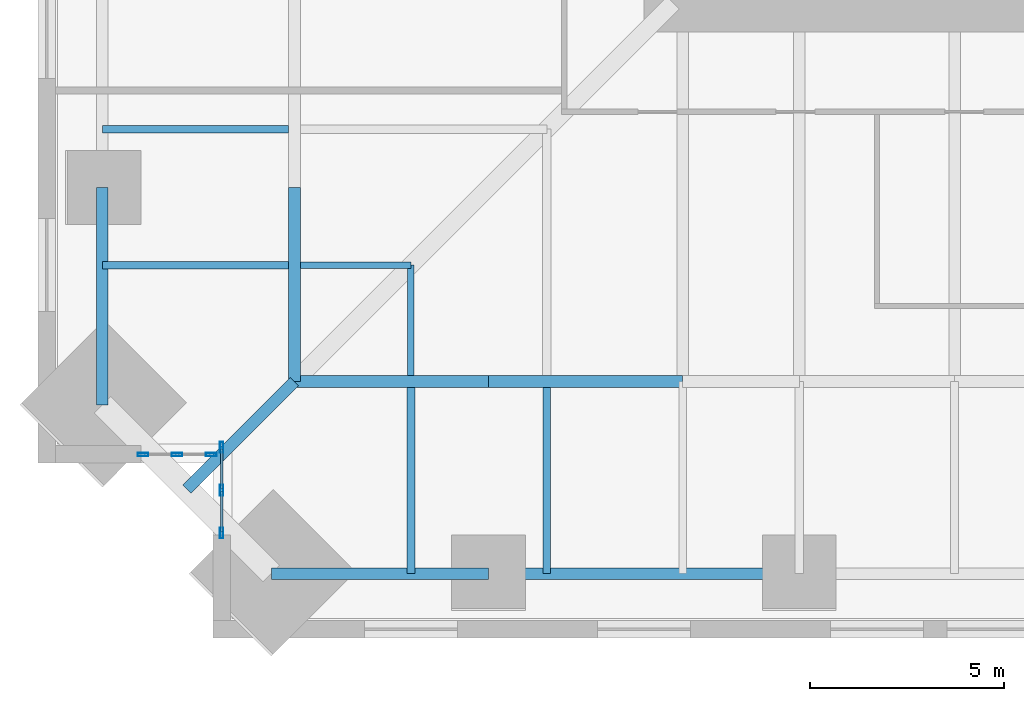
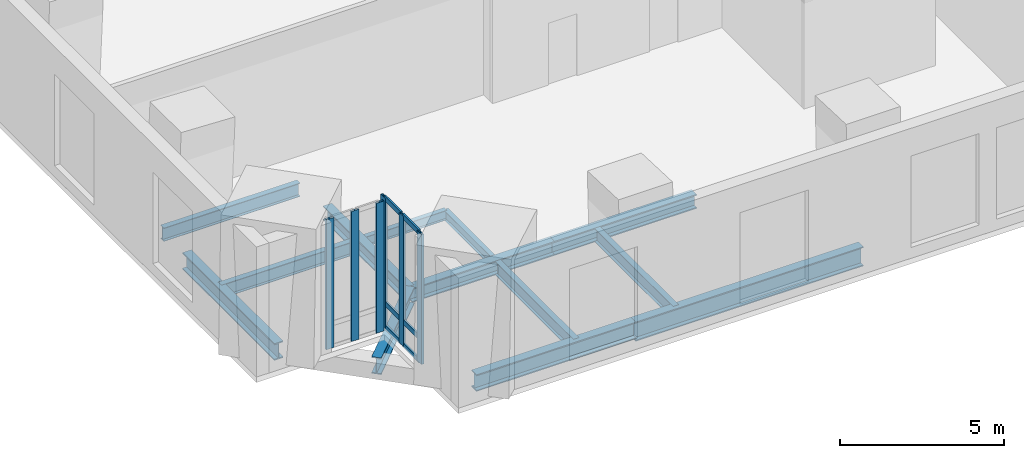
# One storey, part 2 of 18: 13 beams, 12 members, 2 elements without a shape of their own.
"""IFC4 building model written with IfcOpenShell, lengths in metres."""

from ifc_helpers import new_model, si_unit, direction, frame, origin, origin_2d, place, context, subcontext, project, spatial, hollow_rectangle, i_section, extrude, material, material_profile, profile_set, type_object, element, aggregate, save


model = new_model("IFC4")

# Units and contexts
model_context = context("Model", 3, precision=1e-05, world=origin(), true_north=direction((0.0, 1.0)))
body_context = subcontext(model_context, "Body", "Model", "MODEL_VIEW")
ifc_project = project(units=[si_unit("LENGTHUNIT", "METRE"), si_unit("AREAUNIT", "SQUARE_METRE"), si_unit("VOLUMEUNIT", "CUBIC_METRE"), si_unit("PLANEANGLEUNIT", "RADIAN"), si_unit("MASSUNIT", "GRAM", prefix="KILO")], contexts=[model_context])

# Site, building, storey
site_placement = place(None, origin())
site = spatial("IfcSite", under=ifc_project, at=site_placement, CompositionType="ELEMENT")
building_placement = place(site_placement, origin())
building = spatial("IfcBuilding", under=site, at=building_placement, Name="Peilmerk Tower", CompositionType="ELEMENT")
storey_placement = place(building_placement, frame((0.0, 0.0, 122.800048828125)))
storey = spatial("IfcBuildingStorey", under=building, at=storey_placement, Name="L24", CompositionType="ELEMENT", Elevation=122.800048828125)

# Beams
ifc_material_1 = material(Name="Steel S355", Category="steel")
ifc_material_profile_1 = material_profile(ifc_material_1, i_section(OverallWidth=0.169921875, OverallDepth=0.360107421875, WebThickness=0.008056640625, FlangeThickness=0.0126953125, at=origin_2d()), Name="IPE 360")
ifc_profile_set_1 = profile_set([ifc_material_profile_1], Name="Steel S355")
beam_type_1 = type_object("IfcBeamType", Name="B11 IPE 360 floor beam", PredefinedType="BEAM", material=ifc_profile_set_1)
for number, where, z_axis, x_axis, name in (
    (1, (-18.0, -18.0, -0.380126953125), (0.0, -1.0, 0.0), (1.0, 0.0, 0.0), "Floor beam L24"),
    (2, (-18.0, -18.0, -0.380126953125), (-1.0, 0.0, 0.0), (0.0, -1.0, 0.0), "Floor beam L24"),
):
    element("IfcBeam", number, at=place(storey_placement, frame(where, z_axis=z_axis, x_axis=x_axis)), inside=storey, type_object=beam_type_1, Name=name, PredefinedType="BEAM", context=body_context, shape_type="SweptSolid", body=[
        extrude(i_section(OverallWidth=0.169921875, OverallDepth=0.360107421875, WebThickness=0.008056640625, FlangeThickness=0.0126953125, at=origin_2d()), origin(), (0.0, 0.0, 1.0), 2.846923828125),
    ])
ifc_material_profile_2 = material_profile(ifc_material_1, i_section(OverallWidth=0.303955078125, OverallDepth=0.716064453125, WebThickness=0.02099609375, FlangeThickness=0.0400390625, at=origin_2d()), Name="HEM 700")
ifc_profile_set_2 = profile_set([ifc_material_profile_2], Name="Steel S355")
beam_type_2 = type_object("IfcBeamType", Name="B30 HEM 700 edge beam", PredefinedType="SPANDREL", material=ifc_profile_set_2)
beam_1_placement = place(storey_placement, frame((-16.0, -25.945068359375, -0.55810546875), z_axis=(1.0, 0.0, 0.0), x_axis=(0.0, 1.0, 0.0)))
element("IfcBeam", 3, at=beam_1_placement, inside=storey, type_object=beam_type_2, Name="Edge beam L24", PredefinedType="SPANDREL", context=body_context, shape_type="SweptSolid", body=[
    extrude(i_section(OverallWidth=0.303955078125, OverallDepth=0.716064453125, WebThickness=0.02099609375, FlangeThickness=0.0400390625, at=origin_2d()), origin(), (0.0, 0.0, 1.0), 8.0),
])
ifc_material_profile_3 = material_profile(ifc_material_1, i_section(OverallWidth=0.304931640625, OverallDepth=0.6201171875, WebThickness=0.02099609375, FlangeThickness=0.0400390625, at=origin_2d()), Name="HEM 600")
ifc_profile_set_3 = profile_set([ifc_material_profile_3], Name="Steel S355")
beam_type_3 = type_object("IfcBeamType", Name="B31 HEM 600 edge beam", PredefinedType="SPANDREL", material=ifc_profile_set_3)
for number, where, z_axis, x_axis, name in (
    (4, (-21.59521484375, -25.945068359375, -0.510009765625), (1.0, 0.0, 0.0), (0.0, 1.0, 0.0), "Edge beam L24"),
    (5, (-25.945068359375, -16.0, -0.510009765625), (0.0, -1.0, 0.0), (1.0, 0.0, 0.0), "Edge beam L24"),
):
    element("IfcBeam", number, at=place(storey_placement, frame(where, z_axis=z_axis, x_axis=x_axis)), inside=storey, type_object=beam_type_3, Name=name, PredefinedType="SPANDREL", context=body_context, shape_type="SweptSolid", body=[
        extrude(i_section(OverallWidth=0.304931640625, OverallDepth=0.6201171875, WebThickness=0.02099609375, FlangeThickness=0.0400390625, at=origin_2d()), origin(), (0.0, 0.0, 1.0), 5.59521484375),
    ])
ifc_material_profile_4 = material_profile(ifc_material_1, i_section(OverallWidth=0.199951171875, OverallDepth=0.5, WebThickness=0.01025390625, FlangeThickness=0.01611328125, at=origin_2d()), Name="IPE 500")
ifc_profile_set_4 = profile_set([ifc_material_profile_4], Name="Steel S355")
beam_type_4 = type_object("IfcBeamType", Name="B32 IPE 500 floor beam", PredefinedType="BEAM", material=ifc_profile_set_4)
for number, where, z_axis, x_axis, name in (
    (6, (-14.5, -21.153076171875, -0.449951171875), (0.0, -1.0, 0.0), (1.0, 0.0, 0.0), "Floor beam L24"),
    (7, (-21.153076171875, -14.5, -0.449951171875), (-1.0, 0.0, 0.0), (0.0, -1.0, 0.0), "Floor beam L24"),
    (8, (-18.0, -21.153076171875, -0.449951171875), (0.0, -1.0, 0.0), (1.0, 0.0, 0.0), "Floor beam L24"),
    (9, (-21.153076171875, -18.0, -0.449951171875), (-1.0, 0.0, 0.0), (0.0, -1.0, 0.0), "Floor beam L24"),
):
    element("IfcBeam", number, at=place(storey_placement, frame(where, z_axis=z_axis, x_axis=x_axis)), inside=storey, type_object=beam_type_4, Name=name, PredefinedType="BEAM", context=body_context, shape_type="SweptSolid", body=[
        extrude(i_section(OverallWidth=0.199951171875, OverallDepth=0.5, WebThickness=0.01025390625, FlangeThickness=0.01611328125, at=origin_2d()), origin(), (0.0, 0.0, 1.0), 4.7919921875),
    ])
ifc_material_profile_5 = material_profile(ifc_material_1, i_section(OverallWidth=0.304931640625, OverallDepth=0.6201171875, WebThickness=0.02099609375, FlangeThickness=0.0400390625, at=origin_2d()), Name="HEM 600")
ifc_profile_set_5 = profile_set([ifc_material_profile_5], Name="Steel S355")
beam_type_5 = type_object("IfcBeamType", Name="B6 HEM 600 ring girder", PredefinedType="BEAM", material=ifc_profile_set_5)
beam_2_placement = place(storey_placement, frame((-21.0, -21.0, -0.510009765625), z_axis=(-0.707106781187, -0.707106781187, 0.0), x_axis=(0.707106781187, -0.707106781187, 0.0)))
element("IfcBeam", 10, at=beam_2_placement, inside=storey, type_object=beam_type_5, Name="Corner girder L24", PredefinedType="BEAM", context=body_context, shape_type="SweptSolid", body=[
    extrude(i_section(OverallWidth=0.304931640625, OverallDepth=0.6201171875, WebThickness=0.02099609375, FlangeThickness=0.0400390625, at=origin_2d()), origin(), (0.0, 0.0, 1.0), 3.917724609375),
])
ifc_material_profile_6 = material_profile(ifc_material_1, i_section(OverallWidth=0.305908203125, OverallDepth=0.52392578125, WebThickness=0.02099609375, FlangeThickness=0.0400390625, at=origin_2d()), Name="HEM 500")
ifc_profile_set_6 = profile_set([ifc_material_profile_6], Name="Steel S355")
beam_type_6 = type_object("IfcBeamType", Name="B7 HEM 500 ring girder", PredefinedType="BEAM", material=ifc_profile_set_6)
for number, where, z_axis, x_axis, name in (
    (11, (-21.0, -21.0, -0.462158203125), (1.0, 0.0, 0.0), (0.0, 1.0, 0.0), "Ring girder L24"),
    (12, (-16.0, -21.0, -0.462158203125), (1.0, 0.0, 0.0), (0.0, 1.0, 0.0), "Ring girder L24"),
    (13, (-21.0, -16.0, -0.462158203125), (0.0, -1.0, 0.0), (1.0, 0.0, 0.0), "Ring girder L24"),
):
    element("IfcBeam", number, at=place(storey_placement, frame(where, z_axis=z_axis, x_axis=x_axis)), inside=storey, type_object=beam_type_6, Name=name, PredefinedType="BEAM", context=body_context, shape_type="SweptSolid", body=[
        extrude(i_section(OverallWidth=0.305908203125, OverallDepth=0.52392578125, WebThickness=0.02099609375, FlangeThickness=0.0400390625, at=origin_2d()), origin(), (0.0, 0.0, 1.0), 5.0),
    ])

# Curtain wall, members
ifc_material_2 = material(Name="Aluminium stick curtain wall", Category="aluminium")
curtain_wall_type = type_object("IfcCurtainWallType", Name="CW2 stick curtain wall, 2250 module", PredefinedType="NOTDEFINED", material=ifc_material_2)
curtain_wall_1_placement = place(storey_placement, origin())
curtain_wall_1 = element("IfcCurtainWall", 14, at=curtain_wall_1_placement, inside=storey, type_object=curtain_wall_type, Name="Curtain wall CW2 SWA L24", PredefinedType="NOTDEFINED")
ifc_material_3 = material(Name="Aluminium EN AW-6063 T6", Category="aluminium")
ifc_material_profile_7 = material_profile(ifc_material_3, hollow_rectangle(XDim=0.080078125, YDim=0.27490234375, WallThickness=0.0048828125, at=origin_2d()), Name="AL 275x80x5")
ifc_profile_set_7 = profile_set([ifc_material_profile_7], Name="Aluminium EN AW-6063 T6")
member_type_1 = type_object("IfcMemberType", Name="CW2-M AL 275x80x5 mullion", PredefinedType="MULLION", material=ifc_profile_set_7)
member_1_placement = place(storey_placement, frame((-22.875, -22.68994140625, 0.0), z_axis=(0.0, 0.0, 1.0), x_axis=(1.0, 0.0, 0.0)))
member_1 = element("IfcMember", 15, at=member_1_placement, type_object=member_type_1, Name="CW2 mullion 1", PredefinedType="MULLION", context=body_context, shape_type="SweptSolid", body=[
    extrude(hollow_rectangle(XDim=0.080078125, YDim=0.27490234375, WallThickness=0.0048828125, at=origin_2d()), origin(), (0.0, 0.0, 1.0), 4.829833984375),
])
member_2_placement = place(storey_placement, frame((-22.875, -23.79443359375, 0.0), z_axis=(0.0, 0.0, 1.0), x_axis=(1.0, 0.0, 0.0)))
member_2 = element("IfcMember", 16, at=member_2_placement, type_object=member_type_1, Name="CW2 mullion 2", PredefinedType="MULLION", context=body_context, shape_type="SweptSolid", body=[
    extrude(hollow_rectangle(XDim=0.080078125, YDim=0.27490234375, WallThickness=0.0048828125, at=origin_2d()), origin(), (0.0, 0.0, 1.0), 4.829833984375),
])
member_3_placement = place(storey_placement, frame((-22.875, -24.898681640625, 0.0), z_axis=(0.0, 0.0, 1.0), x_axis=(1.0, 0.0, 0.0)))
member_3 = element("IfcMember", 17, at=member_3_placement, type_object=member_type_1, Name="CW2 mullion 3", PredefinedType="MULLION", context=body_context, shape_type="SweptSolid", body=[
    extrude(hollow_rectangle(XDim=0.080078125, YDim=0.27490234375, WallThickness=0.0048828125, at=origin_2d()), origin(), (0.0, 0.0, 1.0), 4.829833984375),
])

curtain_wall_2_placement = place(storey_placement, origin())
curtain_wall_2 = element("IfcCurtainWall", 18, at=curtain_wall_2_placement, inside=storey, type_object=curtain_wall_type, Name="Curtain wall CW2 SWB L24", PredefinedType="NOTDEFINED")
member_4_placement = place(storey_placement, frame((-23.139892578125, -22.875, 0.0), z_axis=(0.0, 0.0, 1.0), x_axis=(0.0, -1.0, 0.0)))
member_4 = element("IfcMember", 19, at=member_4_placement, type_object=member_type_1, Name="CW2 mullion 1", PredefinedType="MULLION", context=body_context, shape_type="SweptSolid", body=[
    extrude(hollow_rectangle(XDim=0.080078125, YDim=0.27490234375, WallThickness=0.0048828125, at=origin_2d()), origin(), (0.0, 0.0, 1.0), 4.829833984375),
])
member_5_placement = place(storey_placement, frame((-24.019287109375, -22.875, 0.0), z_axis=(0.0, 0.0, 1.0), x_axis=(0.0, -1.0, 0.0)))
member_5 = element("IfcMember", 20, at=member_5_placement, type_object=member_type_1, Name="CW2 mullion 2", PredefinedType="MULLION", context=body_context, shape_type="SweptSolid", body=[
    extrude(hollow_rectangle(XDim=0.080078125, YDim=0.27490234375, WallThickness=0.0048828125, at=origin_2d()), origin(), (0.0, 0.0, 1.0), 4.829833984375),
])
member_6_placement = place(storey_placement, frame((-24.898681640625, -22.875, 0.0), z_axis=(0.0, 0.0, 1.0), x_axis=(0.0, -1.0, 0.0)))
member_6 = element("IfcMember", 21, at=member_6_placement, type_object=member_type_1, Name="CW2 mullion 3", PredefinedType="MULLION", context=body_context, shape_type="SweptSolid", body=[
    extrude(hollow_rectangle(XDim=0.080078125, YDim=0.27490234375, WallThickness=0.0048828125, at=origin_2d()), origin(), (0.0, 0.0, 1.0), 4.829833984375),
])
aggregate(curtain_wall_2, [member_4, member_5, member_6])

# Member
ifc_material_profile_8 = material_profile(ifc_material_3, hollow_rectangle(XDim=0.06494140625, YDim=0.179931640625, WallThickness=0.0029296875, at=origin_2d()), Name="AL 180x65x3")
ifc_profile_set_8 = profile_set([ifc_material_profile_8], Name="Aluminium EN AW-6063 T6")
member_type_2 = type_object("IfcMemberType", Name="CW2-T AL 180x65x3 transom", PredefinedType="USERDEFINED", material=ifc_profile_set_8)
member_7_placement = place(storey_placement, frame((-22.875, -22.72998046875, 0.032470703125), z_axis=(0.0, -1.0, 0.0), x_axis=(1.0, 0.0, 0.0)))
member_7 = element("IfcMember", 22, at=member_7_placement, type_object=member_type_2, Name="CW2 transom 1.1", ObjectType="TRANSOM", PredefinedType="USERDEFINED", context=body_context, shape_type="SweptSolid", body=[
    extrude(hollow_rectangle(XDim=0.06494140625, YDim=0.179931640625, WallThickness=0.0029296875, at=origin_2d()), origin(), (0.0, 0.0, 1.0), 1.0244140625),
])

member_8_placement = place(storey_placement, frame((-22.875, -22.72998046875, 0.89990234375), z_axis=(0.0, -1.0, 0.0), x_axis=(1.0, 0.0, 0.0)))
member_8 = element("IfcMember", 23, at=member_8_placement, type_object=member_type_2, Name="CW2 transom 1.2", ObjectType="TRANSOM", PredefinedType="USERDEFINED", context=body_context, shape_type="SweptSolid", body=[
    extrude(hollow_rectangle(XDim=0.06494140625, YDim=0.179931640625, WallThickness=0.0029296875, at=origin_2d()), origin(), (0.0, 0.0, 1.0), 1.0244140625),
])

member_9_placement = place(storey_placement, frame((-22.875, -22.72998046875, 4.79736328125), z_axis=(0.0, -1.0, 0.0), x_axis=(1.0, 0.0, 0.0)))
member_9 = element("IfcMember", 24, at=member_9_placement, type_object=member_type_2, Name="CW2 transom 1.3", ObjectType="TRANSOM", PredefinedType="USERDEFINED", context=body_context, shape_type="SweptSolid", body=[
    extrude(hollow_rectangle(XDim=0.06494140625, YDim=0.179931640625, WallThickness=0.0029296875, at=origin_2d()), origin(), (0.0, 0.0, 1.0), 1.0244140625),
])

member_10_placement = place(storey_placement, frame((-22.875, -23.834228515625, 0.032470703125), z_axis=(0.0, -1.0, 0.0), x_axis=(1.0, 0.0, 0.0)))
member_10 = element("IfcMember", 25, at=member_10_placement, type_object=member_type_2, Name="CW2 transom 2.1", ObjectType="TRANSOM", PredefinedType="USERDEFINED", context=body_context, shape_type="SweptSolid", body=[
    extrude(hollow_rectangle(XDim=0.06494140625, YDim=0.179931640625, WallThickness=0.0029296875, at=origin_2d()), origin(), (0.0, 0.0, 1.0), 1.0244140625),
])

member_11_placement = place(storey_placement, frame((-22.875, -23.834228515625, 0.89990234375), z_axis=(0.0, -1.0, 0.0), x_axis=(1.0, 0.0, 0.0)))
member_11 = element("IfcMember", 26, at=member_11_placement, type_object=member_type_2, Name="CW2 transom 2.2", ObjectType="TRANSOM", PredefinedType="USERDEFINED", context=body_context, shape_type="SweptSolid", body=[
    extrude(hollow_rectangle(XDim=0.06494140625, YDim=0.179931640625, WallThickness=0.0029296875, at=origin_2d()), origin(), (0.0, 0.0, 1.0), 1.0244140625),
])

member_12_placement = place(storey_placement, frame((-22.875, -23.834228515625, 4.79736328125), z_axis=(0.0, -1.0, 0.0), x_axis=(1.0, 0.0, 0.0)))
member_12 = element("IfcMember", 27, at=member_12_placement, type_object=member_type_2, Name="CW2 transom 2.3", ObjectType="TRANSOM", PredefinedType="USERDEFINED", context=body_context, shape_type="SweptSolid", body=[
    extrude(hollow_rectangle(XDim=0.06494140625, YDim=0.179931640625, WallThickness=0.0029296875, at=origin_2d()), origin(), (0.0, 0.0, 1.0), 1.0244140625),
])

aggregate(curtain_wall_1, [member_1, member_2, member_3, member_7, member_8, member_9, member_10, member_11, member_12])

save(model, "model.ifc")
